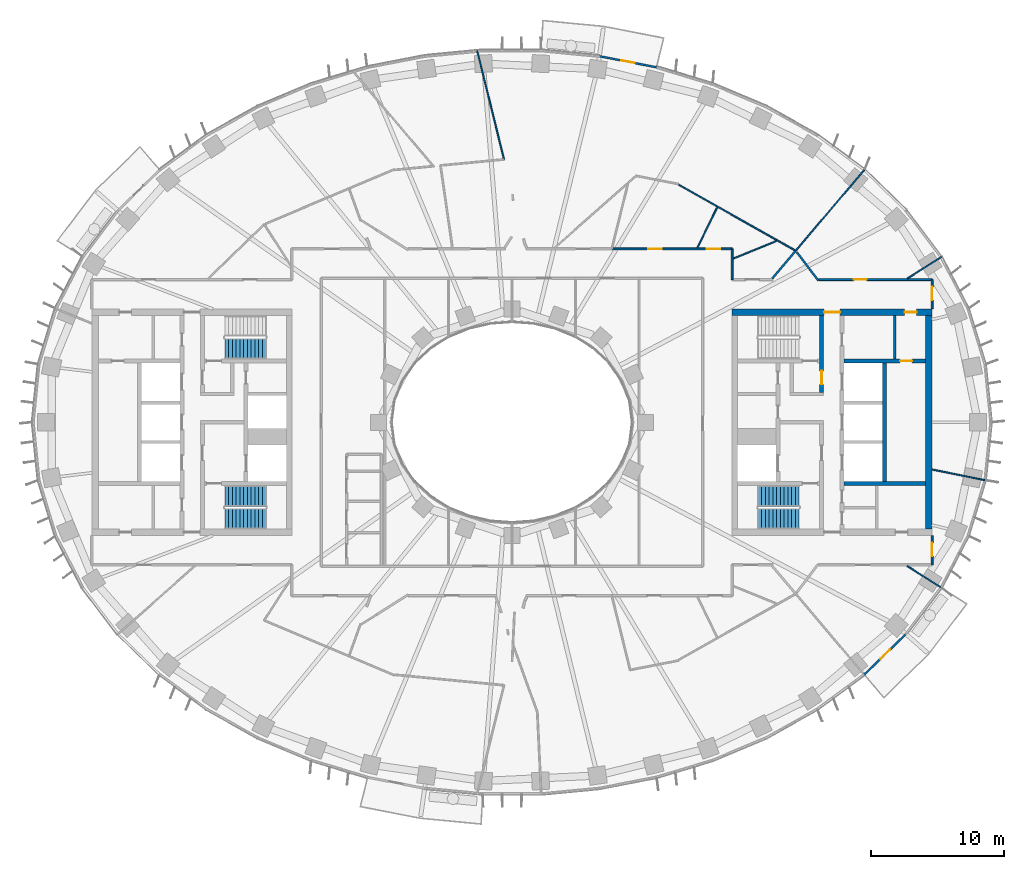
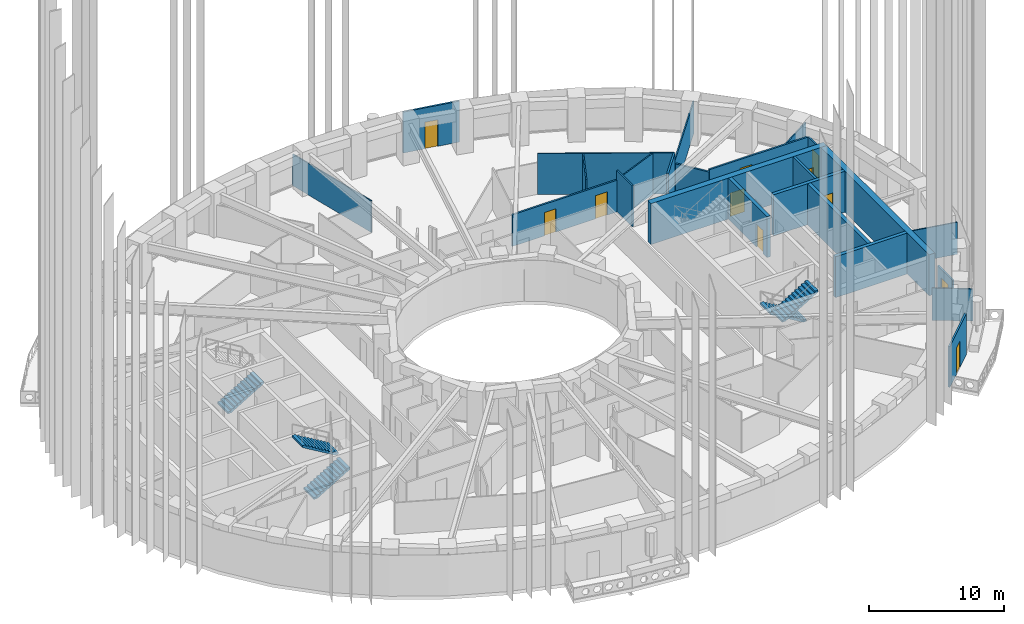
# One storey, part 7 of 20: 24 walls, 11 doors, 5 stair flights, 11 openings, 3 elements without a shape of their own.
"""IFC4 building model written with IfcOpenShell, lengths in metres."""

from ifc_helpers import new_model, si_unit, direction, frame, frame_2d, origin, place, context, subcontext, project, spatial, polyline, rectangle, outline, extrude, material, layer, layer_set, type_object, element, fill, aggregate, save


model = new_model("IFC4")

# Units and contexts
model_context = context("Model", 3, precision=1e-05, world=origin(), true_north=direction((0.0, 1.0)))
body_context = subcontext(model_context, "Body", "Model", "MODEL_VIEW")
ifc_project = project(units=[si_unit("LENGTHUNIT", "METRE"), si_unit("AREAUNIT", "SQUARE_METRE"), si_unit("VOLUMEUNIT", "CUBIC_METRE"), si_unit("PLANEANGLEUNIT", "RADIAN"), si_unit("MASSUNIT", "GRAM", prefix="KILO")], contexts=[model_context])

# Site, building, storey
site_placement = place(None, origin())
site = spatial("IfcSite", under=ifc_project, at=site_placement, CompositionType="ELEMENT")
building_placement = place(site_placement, origin())
building = spatial("IfcBuilding", under=site, at=building_placement, Name="Noorbagh Ring Tower", CompositionType="ELEMENT")
storey_placement = place(building_placement, frame((0.0, 0.0, 88.0)))
storey = spatial("IfcBuildingStorey", under=building, at=storey_placement, Name="L19", CompositionType="ELEMENT", Elevation=88.0)

# Walls
ifc_material_1 = material(Name="Gypsum board on steel studs", Category="steel")
ifc_layer_1 = layer(ifc_material_1, 0.199951171875)
ifc_layer_set_1 = layer_set([ifc_layer_1], Name="Gypsum board on steel studs")
wall_type_1 = type_object("IfcWallType", Name="CORE-PARTITION-200", PredefinedType="PARTITIONING", material=ifc_layer_set_1)
wall_1_placement = place(storey_placement, frame((28.699951171875, 4.75, 0.0), z_axis=(0.0, 0.0, 1.0), x_axis=(0.0, 1.0, 0.0)))
element("IfcWall", 1, at=wall_1_placement, inside=storey, type_object=wall_type_1, Name="Core partition E", PredefinedType="PARTITIONING", context=body_context, shape_type="SweptSolid", body=[
    extrude(rectangle(XDim=3.25, YDim=0.199951171875, at=frame_2d((1.625, 0.0))), origin(), (0.0, 0.0, 1.0), 3.699951171875),
])
ifc_material_2 = material(Name="Concrete C70/85", Category="concrete")
ifc_layer_2 = layer(ifc_material_2, 0.300048828125)
ifc_layer_set_2 = layer_set([ifc_layer_2], Name="Concrete C70/85")
wall_type_2 = type_object("IfcWallType", Name="CORE-WALL-300-C70-85-EI120", PredefinedType="SHEAR", material=ifc_layer_set_2)
wall_2_placement = place(storey_placement, frame((27.949951171875, -4.449951171875, 0.0), z_axis=(0.0, 0.0, 1.0), x_axis=(0.0, 1.0, 0.0)))
element("IfcWall", 2, at=wall_2_placement, inside=storey, type_object=wall_type_2, Name="Core wall E", PredefinedType="SHEAR", context=body_context, shape_type="SweptSolid", body=[
    extrude(rectangle(XDim=8.89990234375, YDim=0.300048828125, at=frame_2d((4.449951171875, 0.0))), origin(), (0.0, 0.0, 1.0), 3.699951171875),
])

# Wall, opening, door
ifc_material_3 = material(Name="Concrete C70/85", Category="concrete")
ifc_layer_3 = layer(ifc_material_3, 0.300048828125)
ifc_layer_set_3 = layer_set([ifc_layer_3], Name="Concrete C70/85")
wall_type_3 = type_object("IfcWallType", Name="CORE-WALL-300-C70-85-EI240", PredefinedType="SHEAR", material=ifc_layer_set_3)
wall_3_placement = place(storey_placement, frame((24.89990234375, 4.60009765625, 0.0), z_axis=(0.0, 0.0, 1.0), x_axis=(1.0, 0.0, 0.0)))
wall_3 = element("IfcWall", 3, at=wall_3_placement, inside=storey, type_object=wall_type_3, Name="Core wall E", PredefinedType="SHEAR", context=body_context, shape_type="SweptSolid", body=[
    extrude(rectangle(XDim=6.10009765625, YDim=0.300048828125, at=frame_2d((3.050048828125, 0.0))), origin(), (0.0, 0.0, 1.0), 3.699951171875),
])
opening_1_placement = place(wall_3_placement, frame((4.199951171875, 0.0, 0.0)))
opening_1 = element("IfcOpeningElement", 4, at=opening_1_placement, cuts=wall_3, Name="Opening L19-CE18", PredefinedType="OPENING", context=body_context, shape_type="SweptSolid", body=[
    extrude(rectangle(XDim=0.89990234375, YDim=2.10009765625, at=frame_2d((0.449951171875, 1.050048828125))), frame((0.0, 0.16015625, 0.0), z_axis=(0.0, -1.0, 0.0), x_axis=(1.0, 0.0, 0.0)), (0.0, 0.0, 1.0), 0.320068359375),
])
ifc_material_4 = material(Name="Steel door leaf", Category="steel")
door_type_1 = type_object("IfcDoorType", Name="CORE-DOOR-DROOM", OperationType="SINGLE_SWING_LEFT", PredefinedType="DOOR", material=ifc_material_4)
door_1_placement = place(opening_1_placement, origin())
door_1 = element("IfcDoor", 5, at=door_1_placement, inside=storey, type_object=door_type_1, Name="Core room door L19-CE18", OperationType="SINGLE_SWING_RIGHT", OverallHeight=2.10009765625, OverallWidth=0.89990234375, PredefinedType="DOOR", context=body_context, shape_type="SweptSolid", body=[
    extrude(rectangle(XDim=0.89990234375, YDim=2.10009765625, at=frame_2d((0.449951171875, 1.050048828125))), frame((0.0, 0.02490234375, 0.0), z_axis=(0.0, -1.0, 0.0), x_axis=(1.0, 0.0, 0.0)), (0.0, 0.0, 1.0), 0.050048828125),
])
fill(opening_1, door_1)

# Wall
wall_4_placement = place(storey_placement, frame((24.89990234375, -4.60009765625, 0.0), z_axis=(0.0, 0.0, 1.0), x_axis=(1.0, 0.0, 0.0)))
element("IfcWall", 6, at=wall_4_placement, inside=storey, type_object=wall_type_3, Name="Core wall E", PredefinedType="SHEAR", context=body_context, shape_type="SweptSolid", body=[
    extrude(rectangle(XDim=6.10009765625, YDim=0.300048828125, at=frame_2d((3.050048828125, 0.0))), origin(), (0.0, 0.0, 1.0), 3.699951171875),
])

# Wall, opening, door
wall_5_placement = place(storey_placement, frame((23.22998046875, 2.25, 0.0), z_axis=(0.0, 0.0, 1.0), x_axis=(0.0, 1.0, 0.0)))
wall_5 = element("IfcWall", 7, at=wall_5_placement, inside=storey, type_object=wall_type_3, Name="Core wall E", PredefinedType="SHEAR", context=body_context, shape_type="SweptSolid", body=[
    extrude(rectangle(XDim=5.75, YDim=0.300048828125, at=frame_2d((2.875, 0.0))), origin(), (0.0, 0.0, 1.0), 3.699951171875),
])
opening_2_placement = place(wall_5_placement, frame((0.60009765625, 0.0, 0.0)))
opening_2 = element("IfcOpeningElement", 8, at=opening_2_placement, cuts=wall_5, Name="Opening L19-CE08", PredefinedType="OPENING", context=body_context, shape_type="SweptSolid", body=[
    extrude(rectangle(XDim=1.0, YDim=2.10009765625, at=frame_2d((0.5, 1.050048828125))), frame((0.0, 0.16015625, 0.0), z_axis=(0.0, -1.0, 0.0), x_axis=(1.0, 0.0, 0.0)), (0.0, 0.0, 1.0), 0.320068359375),
])
ifc_material_5 = material(Name="Steel door leaf", Category="steel")
door_type_2 = type_object("IfcDoorType", Name="CORE-DOOR-DVEST", OperationType="SINGLE_SWING_LEFT", PredefinedType="DOOR", material=ifc_material_5)
door_2_placement = place(opening_2_placement, origin())
door_2 = element("IfcDoor", 9, at=door_2_placement, inside=storey, type_object=door_type_2, Name="Stair vestibule door L19-CE08", OperationType="SINGLE_SWING_RIGHT", OverallHeight=2.10009765625, OverallWidth=1.0, PredefinedType="DOOR", context=body_context, shape_type="SweptSolid", body=[
    extrude(rectangle(XDim=1.0, YDim=2.10009765625, at=frame_2d((0.5, 1.050048828125))), frame((0.0, 0.02490234375, 0.0), z_axis=(0.0, -1.0, 0.0), x_axis=(1.0, 0.0, 0.0)), (0.0, 0.0, 1.0), 0.050048828125),
])
fill(opening_2, door_2)

# Wall, openings, doors
ifc_material_6 = material(Name="Concrete C70/85", Category="concrete")
ifc_layer_4 = layer(ifc_material_6, 0.5)
ifc_layer_set_4 = layer_set([ifc_layer_4], Name="Concrete C70/85")
wall_type_4 = type_object("IfcWallType", Name="CORE-WALL-500-C70-85-EI240", PredefinedType="SHEAR", material=ifc_layer_set_4)
wall_6_placement = place(storey_placement, frame((16.5, 8.25, 0.0), z_axis=(0.0, 0.0, 1.0), x_axis=(1.0, 0.0, 0.0)))
wall_6 = element("IfcWall", 10, at=wall_6_placement, inside=storey, type_object=wall_type_4, Name="Core wall E", PredefinedType="SHEAR", context=body_context, shape_type="SweptSolid", body=[
    extrude(rectangle(XDim=15.0, YDim=0.5, at=frame_2d((7.5, 0.0))), origin(), (0.0, 0.0, 1.0), 3.699951171875),
])
opening_3_placement = place(wall_6_placement, frame((6.89990234375, 0.0, 0.0)))
opening_3 = element("IfcOpeningElement", 11, at=opening_3_placement, cuts=wall_6, Name="Opening L19-CE09", PredefinedType="OPENING", context=body_context, shape_type="SweptSolid", body=[
    extrude(rectangle(XDim=1.199951171875, YDim=2.10009765625, at=frame_2d((0.60009765625, 1.050048828125))), frame((0.0, 0.260009765625, 0.0), z_axis=(0.0, -1.0, 0.0), x_axis=(1.0, 0.0, 0.0)), (0.0, 0.0, 1.0), 0.52001953125),
])
opening_4_placement = place(wall_6_placement, frame((12.949951171875, 0.0, 0.0)))
opening_4 = element("IfcOpeningElement", 12, at=opening_4_placement, cuts=wall_6, Name="Opening L19-CE14", PredefinedType="OPENING", context=body_context, shape_type="SweptSolid", body=[
    extrude(rectangle(XDim=0.89990234375, YDim=2.10009765625, at=frame_2d((0.449951171875, 1.050048828125))), frame((0.0, 0.260009765625, 0.0), z_axis=(0.0, -1.0, 0.0), x_axis=(1.0, 0.0, 0.0)), (0.0, 0.0, 1.0), 0.52001953125),
])
door_3_placement = place(opening_4_placement, origin())
door_3 = element("IfcDoor", 13, at=door_3_placement, inside=storey, type_object=door_type_1, Name="Core room door L19-CE14", OperationType="SINGLE_SWING_LEFT", OverallHeight=2.10009765625, OverallWidth=0.89990234375, PredefinedType="DOOR", context=body_context, shape_type="SweptSolid", body=[
    extrude(rectangle(XDim=0.89990234375, YDim=2.10009765625, at=frame_2d((0.449951171875, 1.050048828125))), frame((0.0, 0.02490234375, 0.0), z_axis=(0.0, -1.0, 0.0), x_axis=(1.0, 0.0, 0.0)), (0.0, 0.0, 1.0), 0.050048828125),
])
fill(opening_4, door_3)
ifc_material_7 = material(Name="Steel door leaf", Category="steel")
door_type_3 = type_object("IfcDoorType", Name="CORE-DOOR-PORT", OperationType="DOUBLE_DOOR_DOUBLE_SWING", PredefinedType="DOOR", material=ifc_material_7)
door_4_placement = place(opening_3_placement, origin())
door_4 = element("IfcDoor", 14, at=door_4_placement, inside=storey, type_object=door_type_3, Name="Core entrance door L19-CE09", OperationType="DOUBLE_DOOR_DOUBLE_SWING", OverallHeight=2.10009765625, OverallWidth=1.199951171875, PredefinedType="DOOR", context=body_context, shape_type="SweptSolid", body=[
    extrude(rectangle(XDim=1.199951171875, YDim=2.10009765625, at=frame_2d((0.60009765625, 1.050048828125))), frame((0.0, 0.02490234375, 0.0), z_axis=(0.0, -1.0, 0.0), x_axis=(1.0, 0.0, 0.0)), (0.0, 0.0, 1.0), 0.050048828125),
])
fill(opening_3, door_4)

# Wall
wall_7_placement = place(storey_placement, frame((31.25, -8.0, 0.0), z_axis=(0.0, 0.0, 1.0), x_axis=(0.0, 1.0, 0.0)))
element("IfcWall", 15, at=wall_7_placement, inside=storey, type_object=wall_type_4, Name="Core wall E", PredefinedType="SHEAR", context=body_context, shape_type="SweptSolid", body=[
    extrude(rectangle(XDim=16.0, YDim=0.5, at=frame_2d((8.0, 0.0))), origin(), (0.0, 0.0, 1.0), 3.699951171875),
])

# Wall, openings, doors
ifc_material_8 = material(Name="Gypsum board on steel studs", Category="steel")
ifc_layer_5 = layer(ifc_material_8, 0.14990234375)
ifc_layer_set_5 = layer_set([ifc_layer_5], Name="Gypsum board on steel studs")
wall_type_5 = type_object("IfcWallType", Name="CORRIDOR PARTITION 150 EI 30", PredefinedType="PARTITIONING", material=ifc_layer_set_5)
wall_8_placement = place(storey_placement, frame((7.4990234375, 13.0, 0.0), z_axis=(0.0, 0.0, 1.0), x_axis=(1.0, 0.0, 0.0)))
wall_8 = element("IfcWall", 16, at=wall_8_placement, inside=storey, type_object=wall_type_5, Name="L19/wall/P70", PredefinedType="PARTITIONING", context=body_context, shape_type="SweptSolid", body=[
    extrude(rectangle(XDim=9.0009765625, YDim=0.14990234375, at=frame_2d((4.50048828125, 0.0))), origin(), (0.0, 0.0, 1.0), 2.85009765625),
])
opening_5_placement = place(wall_8_placement, frame((2.721923828125, 0.0, 0.0)))
opening_5 = element("IfcOpeningElement", 17, at=opening_5_placement, cuts=wall_8, Name="Opening D1", PredefinedType="OPENING", context=body_context, shape_type="SweptSolid", body=[
    extrude(rectangle(XDim=1.0, YDim=2.10009765625, at=frame_2d((0.5, 1.050048828125))), frame((0.0, 0.0849609375, 0.0), z_axis=(0.0, -1.0, 0.0), x_axis=(1.0, 0.0, 0.0)), (0.0, 0.0, 1.0), 0.169921875),
])
opening_6_placement = place(wall_8_placement, frame((7.10107421875, 0.0, 0.0)))
opening_6 = element("IfcOpeningElement", 18, at=opening_6_placement, cuts=wall_8, Name="Opening D1", PredefinedType="OPENING", context=body_context, shape_type="SweptSolid", body=[
    extrude(rectangle(XDim=1.0, YDim=2.10009765625, at=frame_2d((0.5, 1.050048828125))), frame((0.0, 0.0849609375, 0.0), z_axis=(0.0, -1.0, 0.0), x_axis=(1.0, 0.0, 0.0)), (0.0, 0.0, 1.0), 0.169921875),
])
ifc_material_9 = material(Name="Timber, painted", Category="wood")
door_type_4 = type_object("IfcDoorType", Name="DOOR 1000 X 2100 FD30", OperationType="SINGLE_SWING_LEFT", PredefinedType="DOOR", material=ifc_material_9)
door_5_placement = place(opening_5_placement, origin())
door_5 = element("IfcDoor", 19, at=door_5_placement, inside=storey, type_object=door_type_4, Name="L19-D18", OperationType="SINGLE_SWING_RIGHT", OverallHeight=2.10009765625, OverallWidth=1.0, PredefinedType="DOOR", context=body_context, shape_type="SweptSolid", body=[
    extrude(rectangle(XDim=1.0, YDim=2.10009765625, at=frame_2d((0.5, 1.050048828125))), frame((0.0, 0.02490234375, 0.0), z_axis=(0.0, -1.0, 0.0), x_axis=(1.0, 0.0, 0.0)), (0.0, 0.0, 1.0), 0.050048828125),
])
fill(opening_5, door_5)
door_6_placement = place(opening_6_placement, origin())
door_6 = element("IfcDoor", 20, at=door_6_placement, inside=storey, type_object=door_type_4, Name="L19-D20", OperationType="SINGLE_SWING_RIGHT", OverallHeight=2.10009765625, OverallWidth=1.0, PredefinedType="DOOR", context=body_context, shape_type="SweptSolid", body=[
    extrude(rectangle(XDim=1.0, YDim=2.10009765625, at=frame_2d((0.5, 1.050048828125))), frame((0.0, 0.02490234375, 0.0), z_axis=(0.0, -1.0, 0.0), x_axis=(1.0, 0.0, 0.0)), (0.0, 0.0, 1.0), 0.050048828125),
])
fill(opening_6, door_6)

# Walls
wall_9_placement = place(storey_placement, frame((16.5, 10.699951171875, 0.0), z_axis=(0.0, 0.0, 1.0), x_axis=(0.0, 1.0, 0.0)))
element("IfcWall", 21, at=wall_9_placement, inside=storey, type_object=wall_type_5, Name="L19/wall/P81", PredefinedType="PARTITIONING", context=body_context, shape_type="SweptSolid", body=[
    extrude(rectangle(XDim=2.300048828125, YDim=0.14990234375, at=frame_2d((1.14990234375, 0.0))), origin(), (0.0, 0.0, 1.0), 3.699951171875),
])
wall_10_placement = place(storey_placement, frame((19.510986328125, 10.778076171875, 0.0), z_axis=(0.0, 0.0, 1.0), x_axis=(0.64641426768, 0.762986628021, 0.0)))
element("IfcWall", 22, at=wall_10_placement, inside=storey, type_object=wall_type_5, Name="L19/wall/P86", PredefinedType="PARTITIONING", context=body_context, shape_type="SweptSolid", body=[
    extrude(rectangle(XDim=2.735107421875, YDim=0.14990234375, at=frame_2d((1.36767578125, 0.0))), origin(), (0.0, 0.0, 1.0), 3.699951171875),
])
wall_11_placement = place(storey_placement, frame((21.35498046875, 12.764892578125, 0.0), z_axis=(0.0, 0.0, 1.0), x_axis=(0.603391001626, -0.797445483502, 0.0)))
element("IfcWall", 23, at=wall_11_placement, inside=storey, type_object=wall_type_5, Name="L19/wall/P89", PredefinedType="PARTITIONING", context=body_context, shape_type="SweptSolid", body=[
    extrude(rectangle(XDim=2.6796875, YDim=0.14990234375, at=frame_2d((1.33984375, 0.0))), origin(), (0.0, 0.0, 1.0), 2.75),
])

# Wall, opening, door
wall_12_placement = place(storey_placement, frame((23.010986328125, 10.699951171875, 0.0), z_axis=(0.0, 0.0, 1.0), x_axis=(1.0, 0.0, 0.0)))
wall_12 = element("IfcWall", 24, at=wall_12_placement, inside=storey, type_object=wall_type_5, Name="L19/wall/P92", PredefinedType="PARTITIONING", context=body_context, shape_type="SweptSolid", body=[
    extrude(rectangle(XDim=8.489013671875, YDim=0.14990234375, at=frame_2d((4.24462890625, 0.0))), origin(), (0.0, 0.0, 1.0), 2.89990234375),
])
opening_7_placement = place(wall_12_placement, frame((2.610107421875, 0.0, 0.0)))
opening_7 = element("IfcOpeningElement", 25, at=opening_7_placement, cuts=wall_12, Name="Opening D1", PredefinedType="OPENING", context=body_context, shape_type="SweptSolid", body=[
    extrude(rectangle(XDim=1.0, YDim=2.10009765625, at=frame_2d((0.5, 1.050048828125))), frame((0.0, 0.0849609375, 0.0), z_axis=(0.0, -1.0, 0.0), x_axis=(1.0, 0.0, 0.0)), (0.0, 0.0, 1.0), 0.169921875),
])
door_7_placement = place(opening_7_placement, origin())
door_7 = element("IfcDoor", 26, at=door_7_placement, inside=storey, type_object=door_type_4, Name="L19-D24", OperationType="SINGLE_SWING_RIGHT", OverallHeight=2.10009765625, OverallWidth=1.0, PredefinedType="DOOR", context=body_context, shape_type="SweptSolid", body=[
    extrude(rectangle(XDim=1.0, YDim=2.10009765625, at=frame_2d((0.5, 1.050048828125))), frame((0.0, 0.02490234375, 0.0), z_axis=(0.0, -1.0, 0.0), x_axis=(1.0, 0.0, 0.0)), (0.0, 0.0, 1.0), 0.050048828125),
])
fill(opening_7, door_7)

wall_13_placement = place(storey_placement, frame((31.5, -10.699951171875, 0.0), z_axis=(0.0, 0.0, 1.0), x_axis=(0.0, 1.0, 0.0)))
wall_13 = element("IfcWall", 27, at=wall_13_placement, inside=storey, type_object=wall_type_5, Name="L19/wall/P95", PredefinedType="PARTITIONING", context=body_context, shape_type="SweptSolid", body=[
    extrude(rectangle(XDim=2.199951171875, YDim=0.14990234375, at=frame_2d((1.10009765625, 0.0))), origin(), (0.0, 0.0, 1.0), 2.89990234375),
])
opening_8_placement = place(wall_13_placement, frame((0.64990234375, 0.0, 0.0)))
opening_8 = element("IfcOpeningElement", 28, at=opening_8_placement, cuts=wall_13, Name="Opening D1", PredefinedType="OPENING", context=body_context, shape_type="SweptSolid", body=[
    extrude(rectangle(XDim=1.0, YDim=2.10009765625, at=frame_2d((0.5, 1.050048828125))), frame((0.0, 0.0849609375, 0.0), z_axis=(0.0, -1.0, 0.0), x_axis=(1.0, 0.0, 0.0)), (0.0, 0.0, 1.0), 0.169921875),
])
door_8_placement = place(opening_8_placement, origin())
door_8 = element("IfcDoor", 29, at=door_8_placement, inside=storey, type_object=door_type_4, Name="L19-D25", OperationType="SINGLE_SWING_LEFT", OverallHeight=2.10009765625, OverallWidth=1.0, PredefinedType="DOOR", context=body_context, shape_type="SweptSolid", body=[
    extrude(rectangle(XDim=1.0, YDim=2.10009765625, at=frame_2d((0.5, 1.050048828125))), frame((0.0, 0.02490234375, 0.0), z_axis=(0.0, -1.0, 0.0), x_axis=(1.0, 0.0, 0.0)), (0.0, 0.0, 1.0), 0.050048828125),
])
fill(opening_8, door_8)

wall_14_placement = place(storey_placement, frame((31.5, 8.5, 0.0), z_axis=(0.0, 0.0, 1.0), x_axis=(0.0, 1.0, 0.0)))
wall_14 = element("IfcWall", 30, at=wall_14_placement, inside=storey, type_object=wall_type_5, Name="L19/wall/P97", PredefinedType="PARTITIONING", context=body_context, shape_type="SweptSolid", body=[
    extrude(rectangle(XDim=2.199951171875, YDim=0.14990234375, at=frame_2d((1.10009765625, 0.0))), origin(), (0.0, 0.0, 1.0), 2.89990234375),
])
opening_9_placement = place(wall_14_placement, frame((0.64990234375, 0.0, 0.0)))
opening_9 = element("IfcOpeningElement", 31, at=opening_9_placement, cuts=wall_14, Name="Opening D1", PredefinedType="OPENING", context=body_context, shape_type="SweptSolid", body=[
    extrude(rectangle(XDim=1.0, YDim=2.10009765625, at=frame_2d((0.5, 1.050048828125))), frame((0.0, 0.0849609375, 0.0), z_axis=(0.0, -1.0, 0.0), x_axis=(1.0, 0.0, 0.0)), (0.0, 0.0, 1.0), 0.169921875),
])
door_9_placement = place(opening_9_placement, origin())
door_9 = element("IfcDoor", 32, at=door_9_placement, inside=storey, type_object=door_type_4, Name="L19-D26", OperationType="SINGLE_SWING_RIGHT", OverallHeight=2.10009765625, OverallWidth=1.0, PredefinedType="DOOR", context=body_context, shape_type="SweptSolid", body=[
    extrude(rectangle(XDim=1.0, YDim=2.10009765625, at=frame_2d((0.5, 1.050048828125))), frame((0.0, 0.02490234375, 0.0), z_axis=(0.0, -1.0, 0.0), x_axis=(1.0, 0.0, 0.0)), (0.0, 0.0, 1.0), 0.050048828125),
])
fill(opening_9, door_9)

ifc_material_10 = material(Name="Insulated aluminium clad panel", Category="aluminium")
ifc_layer_6 = layer(ifc_material_10, 0.14990234375)
ifc_layer_set_6 = layer_set([ifc_layer_6], Name="Insulated aluminium clad panel")
wall_type_6 = type_object("IfcWallType", Name="ENV-WALL-DOOR", PredefinedType="STANDARD", material=ifc_layer_set_6)
wall_15_placement = place(storey_placement, frame((10.87060546875, 26.616943359375, 0.0), z_axis=(0.0, 0.0, 1.0), x_axis=(-0.981631174778, 0.190788460615, 0.0)))
wall_15 = element("IfcWall", 33, at=wall_15_placement, inside=storey, type_object=wall_type_6, Name="Balcony door wall chord 10", PredefinedType="STANDARD", context=body_context, shape_type="SweptSolid", body=[
    extrude(rectangle(XDim=4.42626953125, YDim=0.14990234375, at=frame_2d((2.213134765625, 0.0))), origin(), (0.0, 0.0, 1.0), 3.699951171875),
])
opening_10_placement = place(wall_15_placement, frame((1.713134765625, 0.0, 0.0)))
opening_10 = element("IfcOpeningElement", 34, at=opening_10_placement, cuts=wall_15, Name="Opening D-BL", PredefinedType="OPENING", context=body_context, shape_type="SweptSolid", body=[
    extrude(rectangle(XDim=1.0, YDim=2.39990234375, at=frame_2d((0.5, 1.199951171875))), frame((0.0, 0.0849609375, 0.0), z_axis=(0.0, -1.0, 0.0), x_axis=(1.0, 0.0, 0.0)), (0.0, 0.0, 1.0), 0.169921875),
])
ifc_material_11 = material(Name="Aluminium and glass", Category="aluminium")
door_type_5 = type_object("IfcDoorType", Name="ENV-DOOR-BALCONY", OperationType="SINGLE_SWING_LEFT", PredefinedType="DOOR", material=ifc_material_11)
door_10_placement = place(opening_10_placement, origin())
door_10 = element("IfcDoor", 35, at=door_10_placement, inside=storey, type_object=door_type_5, Name="Balcony door chord 10", OperationType="SINGLE_SWING_RIGHT", OverallHeight=2.39990234375, OverallWidth=1.0, PredefinedType="DOOR", context=body_context, shape_type="SweptSolid", body=[
    extrude(rectangle(XDim=1.0, YDim=2.39990234375, at=frame_2d((0.5, 1.199951171875))), frame((0.0, 0.02490234375, 0.0), z_axis=(0.0, -1.0, 0.0), x_axis=(1.0, 0.0, 0.0)), (0.0, 0.0, 1.0), 0.050048828125),
])
fill(opening_10, door_10)

wall_16_placement = place(storey_placement, frame((26.396484375, -18.943359375, 0.0), z_axis=(0.0, 0.0, 1.0), x_axis=(0.717214761864, 0.696852197647, 0.0)))
wall_16 = element("IfcWall", 36, at=wall_16_placement, inside=storey, type_object=wall_type_6, Name="Balcony door wall chord 42", PredefinedType="STANDARD", context=body_context, shape_type="SweptSolid", body=[
    extrude(rectangle(XDim=4.424072265625, YDim=0.14990234375, at=frame_2d((2.2119140625, 0.0))), origin(), (0.0, 0.0, 1.0), 3.699951171875),
])
opening_11_placement = place(wall_16_placement, frame((1.712158203125, 0.0, 0.0)))
opening_11 = element("IfcOpeningElement", 37, at=opening_11_placement, cuts=wall_16, Name="Opening D-BL", PredefinedType="OPENING", context=body_context, shape_type="SweptSolid", body=[
    extrude(rectangle(XDim=1.0, YDim=2.39990234375, at=frame_2d((0.5, 1.199951171875))), frame((0.0, 0.0849609375, 0.0), z_axis=(0.0, -1.0, 0.0), x_axis=(1.0, 0.0, 0.0)), (0.0, 0.0, 1.0), 0.169921875),
])
door_11_placement = place(opening_11_placement, origin())
door_11 = element("IfcDoor", 38, at=door_11_placement, inside=storey, type_object=door_type_5, Name="Balcony door chord 42", OperationType="SINGLE_SWING_RIGHT", OverallHeight=2.39990234375, OverallWidth=1.0, PredefinedType="DOOR", context=body_context, shape_type="SweptSolid", body=[
    extrude(rectangle(XDim=1.0, YDim=2.39990234375, at=frame_2d((0.5, 1.199951171875))), frame((0.0, 0.02490234375, 0.0), z_axis=(0.0, -1.0, 0.0), x_axis=(1.0, 0.0, 0.0)), (0.0, 0.0, 1.0), 0.050048828125),
])
fill(opening_11, door_11)

# Walls
ifc_material_12 = material(Name="Gypsum board on steel studs", Category="steel")
ifc_layer_7 = layer(ifc_material_12, 0.10009765625)
ifc_layer_set_7 = layer_set([ifc_layer_7], Name="Gypsum board on steel studs")
wall_type_7 = type_object("IfcWallType", Name="PARTITION 100 GYPSUM", PredefinedType="PARTITIONING", material=ifc_layer_set_7)
wall_17_placement = place(storey_placement, frame((-2.60888671875, 27.85791015625, 0.0), z_axis=(0.0, 0.0, 1.0), x_axis=(0.239677840558, -0.970852477334, 0.0)))
element("IfcWall", 39, at=wall_17_placement, inside=storey, type_object=wall_type_7, Name="L19/wall/P47", PredefinedType="PARTITIONING", context=body_context, shape_type="SweptSolid", body=[
    extrude(rectangle(XDim=8.38525390625, YDim=0.10009765625, at=frame_2d((4.192626953125, 0.0))), origin(), (0.0, 0.0, 1.0), 2.85009765625),
])
wall_18_placement = place(storey_placement, frame((12.47998046875, 17.824951171875, 0.0), z_axis=(0.0, 0.0, 1.0), x_axis=(0.871131718637, -0.491049415827, 0.0)))
element("IfcWall", 40, at=wall_18_placement, inside=storey, type_object=wall_type_7, Name="L19/wall/P75", PredefinedType="PARTITIONING", context=body_context, shape_type="SweptSolid", body=[
    extrude(rectangle(XDim=10.100830078125, YDim=0.10009765625, at=frame_2d((5.05029296875, 0.0))), origin(), (0.0, 0.0, 1.0), 3.699951171875),
])
wall_19_placement = place(storey_placement, frame((13.89892578125, 13.074951171875, 0.0), z_axis=(0.0, 0.0, 1.0), x_axis=(0.439170148288, 0.898403907412, 0.0)))
element("IfcWall", 41, at=wall_19_placement, inside=storey, type_object=wall_type_7, Name="L19/wall/P77", PredefinedType="PARTITIONING", context=body_context, shape_type="SweptSolid", body=[
    extrude(rectangle(XDim=3.39501953125, YDim=0.10009765625, at=frame_2d((1.697509765625, 0.0))), origin(), (0.0, 0.0, 1.0), 3.699951171875),
])
wall_20_placement = place(storey_placement, frame((16.5791015625, 12.27099609375, 0.0), z_axis=(0.0, 0.0, 1.0), x_axis=(0.925511782592, 0.378718814272, 0.0)))
element("IfcWall", 42, at=wall_20_placement, inside=storey, type_object=wall_type_7, Name="L19/wall/P84", PredefinedType="PARTITIONING", context=body_context, shape_type="SweptSolid", body=[
    extrude(rectangle(XDim=3.53857421875, YDim=0.10009765625, at=frame_2d((1.769287109375, 0.0))), origin(), (0.0, 0.0, 1.0), 3.699951171875),
])
wall_21_placement = place(storey_placement, frame((21.279052734375, 12.864990234375, 0.0), z_axis=(0.0, 0.0, 1.0), x_axis=(0.646395355102, 0.763002650652, 0.0)))
element("IfcWall", 43, at=wall_21_placement, inside=storey, type_object=wall_type_7, Name="L19/wall/P90", PredefinedType="PARTITIONING", context=body_context, shape_type="SweptSolid", body=[
    extrude(rectangle(XDim=7.968505859375, YDim=0.10009765625, at=frame_2d((3.984375, 0.0))), origin(), (0.0, 0.0, 1.0), 2.89990234375),
])
for number, where, z_axis, x_axis, name in (
    (44, (29.636962890625, -10.777099609375, 0.0), (0.0, 0.0, 1.0), (0.844810627195, -0.535065420467, 0.0), "L19/wall/P93"),
    (45, (29.636962890625, 10.777099609375, 0.0), (0.0, 0.0, 1.0), (0.844810627195, 0.535065420467, 0.0), "L19/wall/P94"),
):
    element("IfcWall", number, at=place(storey_placement, frame(where, z_axis=z_axis, x_axis=x_axis)), inside=storey, type_object=wall_type_7, Name=name, PredefinedType="PARTITIONING", context=body_context, shape_type="SweptSolid", body=[
        extrude(rectangle(XDim=3.0478515625, YDim=0.10009765625, at=frame_2d((1.52392578125, 0.0))), origin(), (0.0, 0.0, 1.0), 2.89990234375),
    ])
wall_22_placement = place(storey_placement, frame((31.5, -3.5419921875, 0.0), z_axis=(0.0, 0.0, 1.0), x_axis=(0.980357474535, -0.197228857227, 0.0)))
element("IfcWall", 46, at=wall_22_placement, inside=storey, type_object=wall_type_7, Name="L19/wall/P96", PredefinedType="PARTITIONING", context=body_context, shape_type="SweptSolid", body=[
    extrude(rectangle(XDim=4.09228515625, YDim=0.10009765625, at=frame_2d((2.046142578125, 0.0))), origin(), (0.0, 0.0, 1.0), 2.89990234375),
])

# Stair, stair flight
ifc_material_13 = material(Name="Concrete C40/50", Category="concrete")
stair_type = type_object("IfcStairType", Name="CORE-STAIR", PredefinedType="HALF_TURN_STAIR", material=ifc_material_13)
stair_1_placement = place(storey_placement, origin())
stair_1 = element("IfcStair", 47, at=stair_1_placement, inside=storey, type_object=stair_type, Name="L19 Exit stair ST1", PredefinedType="HALF_TURN_STAIR")
ifc_material_14 = material(Name="Concrete C40/50", Category="concrete")
stair_flight_type = type_object("IfcStairFlightType", Name="CORE-STAIR-FLIGHT", PredefinedType="STRAIGHT", material=ifc_material_14)
stair_flight_1_placement = place(storey_placement, frame((-21.530029296875, 5.52490234375, 0.0), z_axis=(0.0, 0.0, 1.0), x_axis=(1.0, 0.0, 0.0)))
stair_flight_1 = element("IfcStairFlight", 48, at=stair_flight_1_placement, type_object=stair_flight_type, Name="ST1 flight 1", NumberOfRisers=12, NumberOfTreads=11, PredefinedType="STRAIGHT", RiserHeight=0.166666667, TreadLength=0.28, context=body_context, shape_type="SweptSolid", body=[
    extrude(outline(polyline([(0.0, 0.0), (0.0, 0.166748046875), (0.280029296875, 0.166748046875), (0.280029296875, 0.333251953125), (0.56005859375, 0.333251953125), (0.56005859375, 0.5), (0.840087890625, 0.5), (0.840087890625, 0.666748046875), (1.1201171875, 0.666748046875), (1.1201171875, 0.833251953125), (1.39990234375, 0.833251953125), (1.39990234375, 1.0), (1.679931640625, 1.0), (1.679931640625, 1.166748046875), (1.9599609375, 1.166748046875), (1.9599609375, 1.333251953125), (2.239990234375, 1.333251953125), (2.239990234375, 1.5), (2.52001953125, 1.5), (2.52001953125, 1.666748046875), (2.800048828125, 1.666748046875), (2.800048828125, 1.833251953125), (3.080078125, 1.833251953125), (3.080078125, 2.0), (3.080078125, 1.658935546875), (0.29296875, 0.0), (0.0, 0.0)])), frame((0.0, 0.77490234375, 0.0), z_axis=(0.0, -1.0, 0.0), x_axis=(1.0, 0.0, 0.0)), (0.0, 0.0, 1.0), 1.550048828125),
])
aggregate(stair_1, [stair_flight_1])

# Stair, stair flights
stair_2_placement = place(storey_placement, origin())
stair_2 = element("IfcStair", 49, at=stair_2_placement, inside=storey, type_object=stair_type, Name="L19 Exit stair ST2", PredefinedType="HALF_TURN_STAIR")
stair_flight_2_placement = place(storey_placement, frame((-21.530029296875, -7.22509765625, 0.0), z_axis=(0.0, 0.0, 1.0), x_axis=(1.0, 0.0, 0.0)))
stair_flight_2 = element("IfcStairFlight", 50, at=stair_flight_2_placement, type_object=stair_flight_type, Name="ST2 flight 1", NumberOfRisers=12, NumberOfTreads=11, PredefinedType="STRAIGHT", RiserHeight=0.166666667, TreadLength=0.28, context=body_context, shape_type="SweptSolid", body=[
    extrude(outline(polyline([(0.0, 0.0), (0.0, 0.166748046875), (0.280029296875, 0.166748046875), (0.280029296875, 0.333251953125), (0.56005859375, 0.333251953125), (0.56005859375, 0.5), (0.840087890625, 0.5), (0.840087890625, 0.666748046875), (1.1201171875, 0.666748046875), (1.1201171875, 0.833251953125), (1.39990234375, 0.833251953125), (1.39990234375, 1.0), (1.679931640625, 1.0), (1.679931640625, 1.166748046875), (1.9599609375, 1.166748046875), (1.9599609375, 1.333251953125), (2.239990234375, 1.333251953125), (2.239990234375, 1.5), (2.52001953125, 1.5), (2.52001953125, 1.666748046875), (2.800048828125, 1.666748046875), (2.800048828125, 1.833251953125), (3.080078125, 1.833251953125), (3.080078125, 2.0), (3.080078125, 1.658935546875), (0.29296875, 0.0), (0.0, 0.0)])), frame((0.0, 0.77490234375, 0.0), z_axis=(0.0, -1.0, 0.0), x_axis=(1.0, 0.0, 0.0)), (0.0, 0.0, 1.0), 1.550048828125),
])
stair_flight_3_placement = place(storey_placement, frame((-18.449951171875, -5.52490234375, 2.0), z_axis=(0.0, 0.0, 1.0), x_axis=(-1.0, 0.0, 0.0)))
stair_flight_3 = element("IfcStairFlight", 51, at=stair_flight_3_placement, type_object=stair_flight_type, Name="ST2 flight 2", NumberOfRisers=12, NumberOfTreads=11, PredefinedType="STRAIGHT", RiserHeight=0.166666667, TreadLength=0.28, context=body_context, shape_type="SweptSolid", body=[
    extrude(outline(polyline([(0.0, 0.0), (0.0, 0.166748046875), (0.280029296875, 0.166748046875), (0.280029296875, 0.333251953125), (0.56005859375, 0.333251953125), (0.56005859375, 0.5), (0.840087890625, 0.5), (0.840087890625, 0.666748046875), (1.1201171875, 0.666748046875), (1.1201171875, 0.833251953125), (1.39990234375, 0.833251953125), (1.39990234375, 1.0), (1.679931640625, 1.0), (1.679931640625, 1.166748046875), (1.9599609375, 1.166748046875), (1.9599609375, 1.333251953125), (2.239990234375, 1.333251953125), (2.239990234375, 1.5), (2.52001953125, 1.5), (2.52001953125, 1.666748046875), (2.800048828125, 1.666748046875), (2.800048828125, 1.833251953125), (3.080078125, 1.833251953125), (3.080078125, 2.0), (3.080078125, 1.658935546875), (0.29296875, 0.0), (0.0, 0.0)])), frame((0.0, 0.77490234375, 0.0), z_axis=(0.0, -1.0, 0.0), x_axis=(1.0, 0.0, 0.0)), (0.0, 0.0, 1.0), 1.550048828125),
])
aggregate(stair_2, [stair_flight_2, stair_flight_3])

stair_3_placement = place(storey_placement, origin())
stair_3 = element("IfcStair", 52, at=stair_3_placement, inside=storey, type_object=stair_type, Name="L19 Exit stair ST4", PredefinedType="HALF_TURN_STAIR")
stair_flight_4_placement = place(storey_placement, frame((21.530029296875, -5.52490234375, 0.0), z_axis=(0.0, 0.0, 1.0), x_axis=(-1.0, 0.0, 0.0)))
stair_flight_4 = element("IfcStairFlight", 53, at=stair_flight_4_placement, type_object=stair_flight_type, Name="ST4 flight 1", NumberOfRisers=12, NumberOfTreads=11, PredefinedType="STRAIGHT", RiserHeight=0.166666667, TreadLength=0.28, context=body_context, shape_type="SweptSolid", body=[
    extrude(outline(polyline([(0.0, 0.0), (0.0, 0.166748046875), (0.280029296875, 0.166748046875), (0.280029296875, 0.333251953125), (0.56005859375, 0.333251953125), (0.56005859375, 0.5), (0.840087890625, 0.5), (0.840087890625, 0.666748046875), (1.1201171875, 0.666748046875), (1.1201171875, 0.833251953125), (1.39990234375, 0.833251953125), (1.39990234375, 1.0), (1.679931640625, 1.0), (1.679931640625, 1.166748046875), (1.9599609375, 1.166748046875), (1.9599609375, 1.333251953125), (2.239990234375, 1.333251953125), (2.239990234375, 1.5), (2.52001953125, 1.5), (2.52001953125, 1.666748046875), (2.800048828125, 1.666748046875), (2.800048828125, 1.833251953125), (3.080078125, 1.833251953125), (3.080078125, 2.0), (3.080078125, 1.658935546875), (0.29296875, 0.0), (0.0, 0.0)])), frame((0.0, 0.77490234375, 0.0), z_axis=(0.0, -1.0, 0.0), x_axis=(1.0, 0.0, 0.0)), (0.0, 0.0, 1.0), 1.550048828125),
])
stair_flight_5_placement = place(storey_placement, frame((18.449951171875, -7.22509765625, 2.0), z_axis=(0.0, 0.0, 1.0), x_axis=(1.0, 0.0, 0.0)))
stair_flight_5 = element("IfcStairFlight", 54, at=stair_flight_5_placement, type_object=stair_flight_type, Name="ST4 flight 2", NumberOfRisers=12, NumberOfTreads=11, PredefinedType="STRAIGHT", RiserHeight=0.166666667, TreadLength=0.28, context=body_context, shape_type="SweptSolid", body=[
    extrude(outline(polyline([(0.0, 0.0), (0.0, 0.166748046875), (0.280029296875, 0.166748046875), (0.280029296875, 0.333251953125), (0.56005859375, 0.333251953125), (0.56005859375, 0.5), (0.840087890625, 0.5), (0.840087890625, 0.666748046875), (1.1201171875, 0.666748046875), (1.1201171875, 0.833251953125), (1.39990234375, 0.833251953125), (1.39990234375, 1.0), (1.679931640625, 1.0), (1.679931640625, 1.166748046875), (1.9599609375, 1.166748046875), (1.9599609375, 1.333251953125), (2.239990234375, 1.333251953125), (2.239990234375, 1.5), (2.52001953125, 1.5), (2.52001953125, 1.666748046875), (2.800048828125, 1.666748046875), (2.800048828125, 1.833251953125), (3.080078125, 1.833251953125), (3.080078125, 2.0), (3.080078125, 1.658935546875), (0.29296875, 0.0), (0.0, 0.0)])), frame((0.0, 0.77490234375, 0.0), z_axis=(0.0, -1.0, 0.0), x_axis=(1.0, 0.0, 0.0)), (0.0, 0.0, 1.0), 1.550048828125),
])
aggregate(stair_3, [stair_flight_4, stair_flight_5])

save(model, "model.ifc")
